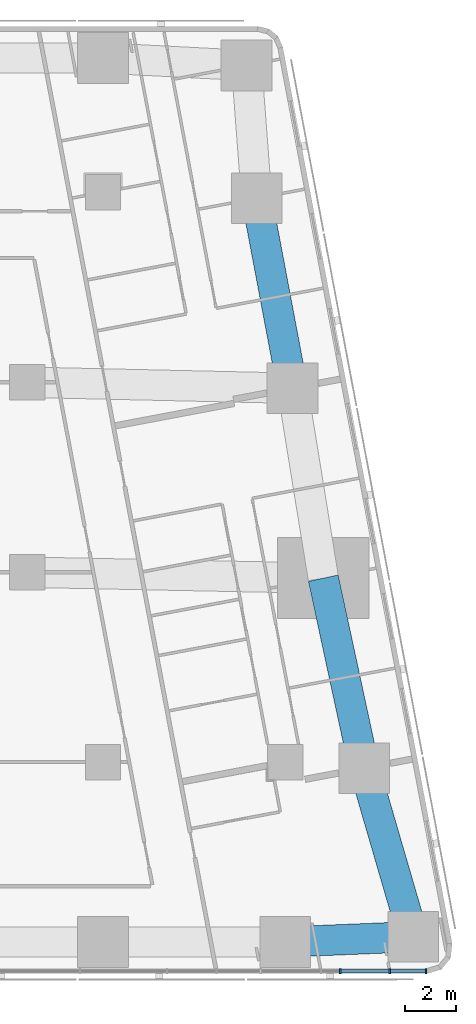
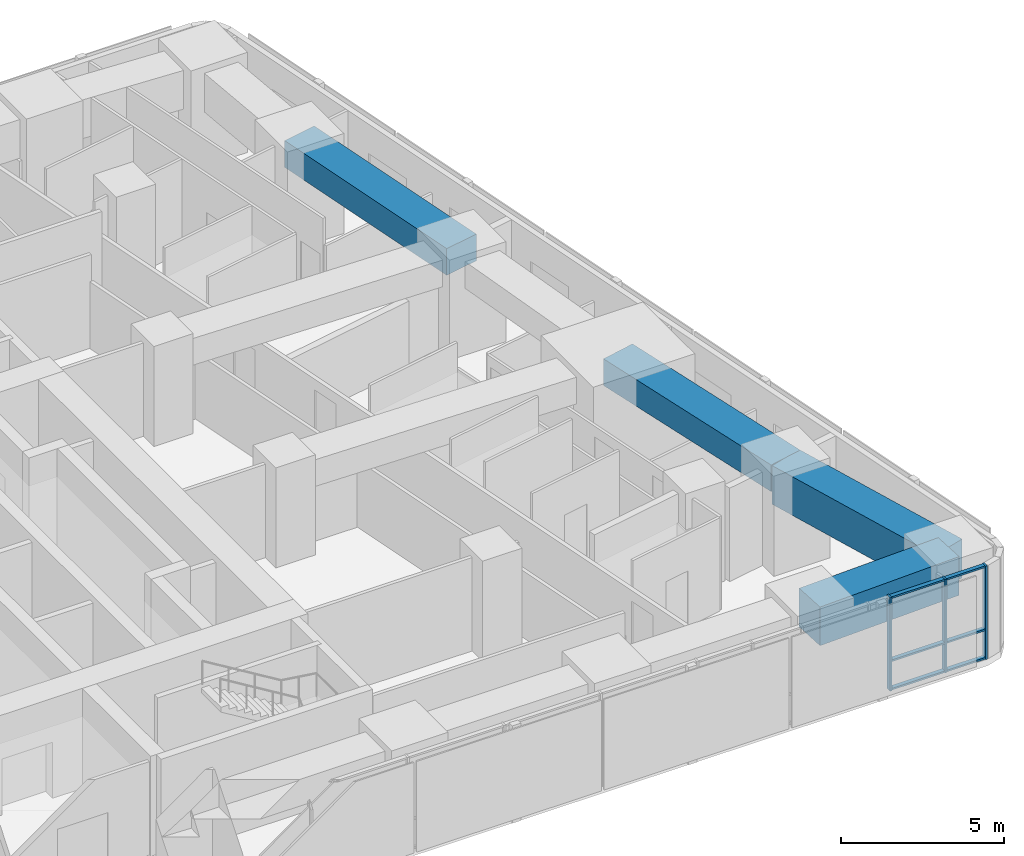
# One storey, part 3 of 11: 9 members, 4 beams, 1 element without a shape of its own.
"""IFC4 building model written with IfcOpenShell, lengths in metres."""

from ifc_helpers import new_model, si_unit, direction, frame, origin, origin_2d, place, context, subcontext, project, spatial, rectangle, extrude, material, material_profile, profile_set, type_object, element, aggregate, save


model = new_model("IFC4")

# Units and contexts
model_context = context("Model", 3, precision=1e-05, world=origin(), true_north=direction((0.0, 1.0)))
body_context = subcontext(model_context, "Body", "Model", "MODEL_VIEW")
ifc_project = project(units=[si_unit("LENGTHUNIT", "METRE"), si_unit("AREAUNIT", "SQUARE_METRE"), si_unit("VOLUMEUNIT", "CUBIC_METRE"), si_unit("PLANEANGLEUNIT", "RADIAN"), si_unit("MASSUNIT", "GRAM", prefix="KILO")], contexts=[model_context])

# Site, building, storey
site_placement = place(None, origin())
site = spatial("IfcSite", under=ifc_project, at=site_placement, CompositionType="ELEMENT")
building_placement = place(site_placement, origin())
building = spatial("IfcBuilding", under=site, at=building_placement, Name="Sheger Commons Tower", CompositionType="ELEMENT")
storey_placement = place(building_placement, frame((0.0, 0.0, 277.85009765625)))
storey = spatial("IfcBuildingStorey", under=building, at=storey_placement, Name="L71", CompositionType="ELEMENT", Elevation=277.85009765625)

# Curtain wall, members
ifc_material_1 = material(Name="Black aluminium curtain wall, dark tinted glazing", Category="aluminium")
curtain_wall_type = type_object("IfcCurtainWallType", Name="CURTAIN WALL CW5 SOUTH GALLERY", PredefinedType="USERDEFINED", material=ifc_material_1)
curtain_wall_placement = place(storey_placement, origin())
curtain_wall = element("IfcCurtainWall", 1, at=curtain_wall_placement, inside=storey, type_object=curtain_wall_type, Name="Curtain Wall Cw5 South Gallery S1 L71", ObjectType="UNITISED CURTAIN WALL", PredefinedType="USERDEFINED")
ifc_material_2 = material(Name="Black anodised aluminium", Category="aluminium")
ifc_material_profile_1 = material_profile(ifc_material_2, rectangle(XDim=0.199951171875, YDim=0.06494140625, at=origin_2d()), Name="AL 65x200")
ifc_profile_set_1 = profile_set([ifc_material_profile_1], Name="Black anodised aluminium")
member_type_1 = type_object("IfcMemberType", Name="MULLION AL 65x200", PredefinedType="MULLION", material=ifc_profile_set_1)
member_1_placement = place(storey_placement, frame((45.364990234375, 6.75, 0.0), z_axis=(0.0, 0.0, 1.0), x_axis=(0.0, 1.0, 0.0)))
member_1 = element("IfcMember", 2, at=member_1_placement, type_object=member_type_1, Name="CW5 mullion 12", PredefinedType="MULLION", context=body_context, shape_type="SweptSolid", body=[
    extrude(rectangle(XDim=0.199951171875, YDim=0.06494140625, at=origin_2d()), origin(), (0.0, 0.0, 1.0), 3.5),
])
member_2_placement = place(storey_placement, frame((47.319091796875, 6.75, 0.0), z_axis=(0.0, 0.0, 1.0), x_axis=(0.0, 1.0, 0.0)))
member_2 = element("IfcMember", 3, at=member_2_placement, type_object=member_type_1, Name="CW5 mullion 13", PredefinedType="MULLION", context=body_context, shape_type="SweptSolid", body=[
    extrude(rectangle(XDim=0.199951171875, YDim=0.06494140625, at=origin_2d()), origin(), (0.0, 0.0, 1.0), 3.5),
])
member_3_placement = place(storey_placement, frame((48.75439453125, 6.75, 0.0), z_axis=(0.0, 0.0, 1.0), x_axis=(0.0, 1.0, 0.0)))
member_3 = element("IfcMember", 4, at=member_3_placement, type_object=member_type_1, Name="CW5 mullion 14", PredefinedType="MULLION", context=body_context, shape_type="SweptSolid", body=[
    extrude(rectangle(XDim=0.199951171875, YDim=0.06494140625, at=origin_2d()), origin(), (0.0, 0.0, 1.0), 3.5),
])

# Beams
ifc_material_3 = material(Name="Concrete C50/60", Category="concrete")
ifc_material_profile_2 = material_profile(ifc_material_3, rectangle(XDim=1.199951171875, YDim=1.0, at=origin_2d()), Name="RC 1200x1000")
ifc_profile_set_2 = profile_set([ifc_material_profile_2], Name="Concrete C50/60")
beam_type_1 = type_object("IfcBeamType", Name="SPANDREL RC 1200x1000", PredefinedType="SPANDREL", material=ifc_profile_set_2)
beam_1_placement = place(storey_placement, frame((46.31396484375, 14.762939453125, 3.0), z_axis=(-0.210750229323, 0.977539943348, 0.0), x_axis=(-0.977539943348, -0.210750229323, 0.0)))
element("IfcBeam", 5, at=beam_1_placement, inside=storey, type_object=beam_type_1, Name="Beam E/C-E/D under L72", PredefinedType="SPANDREL", context=body_context, shape_type="SweptSolid", body=[
    extrude(rectangle(XDim=1.199951171875, YDim=1.0, at=origin_2d()), origin(), (0.0, 0.0, 1.0), 7.67236328125),
])
beam_2_placement = place(storey_placement, frame((43.47998046875, 29.762939453125, 3.0), z_axis=(-0.18552441405, 0.982639655108, 0.0), x_axis=(-0.982639655108, -0.18552441405, 0.0)))
element("IfcBeam", 6, at=beam_2_placement, inside=storey, type_object=beam_type_1, Name="Beam E/E-E/F under L72", PredefinedType="SPANDREL", context=body_context, shape_type="SweptSolid", body=[
    extrude(rectangle(XDim=1.199951171875, YDim=1.0, at=origin_2d()), origin(), (0.0, 0.0, 1.0), 7.632568359375),
])
ifc_material_4 = material(Name="Concrete C50/60", Category="concrete")
ifc_material_profile_3 = material_profile(ifc_material_4, rectangle(XDim=1.199951171875, YDim=1.449951171875, at=origin_2d()), Name="RC 1200x1450")
ifc_profile_set_3 = profile_set([ifc_material_profile_3], Name="Concrete C50/60")
beam_type_2 = type_object("IfcBeamType", Name="SPANDREL RC 1200x1450", PredefinedType="SPANDREL", material=ifc_profile_set_3)
beam_3_placement = place(storey_placement, frame((43.199951171875, 7.89990234375, 2.77490234375), z_axis=(0.999161374218, 0.040945674641, 0.0), x_axis=(-0.040945674641, 0.999161374218, 0.0)))
element("IfcBeam", 7, at=beam_3_placement, inside=storey, type_object=beam_type_2, Name="Beam 7/B-E/B under L72", PredefinedType="SPANDREL", context=body_context, shape_type="SweptSolid", body=[
    extrude(rectangle(XDim=1.199951171875, YDim=1.449951171875, at=origin_2d()), origin(), (0.0, 0.0, 1.0), 5.05615234375),
])
beam_4_placement = place(storey_placement, frame((48.251953125, 8.10693359375, 2.77490234375), z_axis=(-0.279555048455, 0.960129665662, 0.0), x_axis=(-0.960129665662, -0.279555048455, 0.0)))
element("IfcBeam", 8, at=beam_4_placement, inside=storey, type_object=beam_type_2, Name="Beam E/B-E/C under L72", PredefinedType="SPANDREL", context=body_context, shape_type="SweptSolid", body=[
    extrude(rectangle(XDim=1.199951171875, YDim=1.449951171875, at=origin_2d()), origin(), (0.0, 0.0, 1.0), 6.932373046875),
])

# Member
ifc_material_5 = material(Name="Black anodised aluminium", Category="aluminium")
ifc_material_profile_4 = material_profile(ifc_material_5, rectangle(XDim=0.14990234375, YDim=0.06494140625, at=origin_2d()), Name="AL 65x150")
ifc_profile_set_4 = profile_set([ifc_material_profile_4], Name="Black anodised aluminium")
member_type_2 = type_object("IfcMemberType", Name="TRANSOM AL 65x150", PredefinedType="USERDEFINED", material=ifc_profile_set_4)
member_4_placement = place(storey_placement, frame((45.3974609375, 6.75, 0.032470703125), z_axis=(1.0, 0.0, 0.0), x_axis=(0.0, 1.0, 0.0)))
member_4 = element("IfcMember", 9, at=member_4_placement, type_object=member_type_2, Name="CW5 transom 12.1", ObjectType="TRANSOM", PredefinedType="USERDEFINED", context=body_context, shape_type="SweptSolid", body=[
    extrude(rectangle(XDim=0.14990234375, YDim=0.06494140625, at=origin_2d()), origin(), (0.0, 0.0, 1.0), 1.88916015625),
])

member_5_placement = place(storey_placement, frame((45.3974609375, 6.75, 1.099853515625), z_axis=(1.0, 0.0, 0.0), x_axis=(0.0, 1.0, 0.0)))
member_5 = element("IfcMember", 10, at=member_5_placement, type_object=member_type_2, Name="CW5 transom 12.2", ObjectType="TRANSOM", PredefinedType="USERDEFINED", context=body_context, shape_type="SweptSolid", body=[
    extrude(rectangle(XDim=0.14990234375, YDim=0.06494140625, at=origin_2d()), origin(), (0.0, 0.0, 1.0), 1.88916015625),
])

member_6_placement = place(storey_placement, frame((45.3974609375, 6.75, 3.46728515625), z_axis=(1.0, 0.0, 0.0), x_axis=(0.0, 1.0, 0.0)))
member_6 = element("IfcMember", 11, at=member_6_placement, type_object=member_type_2, Name="CW5 transom 12.3", ObjectType="TRANSOM", PredefinedType="USERDEFINED", context=body_context, shape_type="SweptSolid", body=[
    extrude(rectangle(XDim=0.14990234375, YDim=0.06494140625, at=origin_2d()), origin(), (0.0, 0.0, 1.0), 1.88916015625),
])

member_7_placement = place(storey_placement, frame((47.3515625, 6.75, 0.032470703125), z_axis=(1.0, 0.0, 0.0), x_axis=(0.0, 1.0, 0.0)))
member_7 = element("IfcMember", 12, at=member_7_placement, type_object=member_type_2, Name="CW5 transom 13.1", ObjectType="TRANSOM", PredefinedType="USERDEFINED", context=body_context, shape_type="SweptSolid", body=[
    extrude(rectangle(XDim=0.14990234375, YDim=0.06494140625, at=origin_2d()), origin(), (0.0, 0.0, 1.0), 1.370361328125),
])

member_8_placement = place(storey_placement, frame((47.3515625, 6.75, 1.099853515625), z_axis=(1.0, 0.0, 0.0), x_axis=(0.0, 1.0, 0.0)))
member_8 = element("IfcMember", 13, at=member_8_placement, type_object=member_type_2, Name="CW5 transom 13.2", ObjectType="TRANSOM", PredefinedType="USERDEFINED", context=body_context, shape_type="SweptSolid", body=[
    extrude(rectangle(XDim=0.14990234375, YDim=0.06494140625, at=origin_2d()), origin(), (0.0, 0.0, 1.0), 1.370361328125),
])

member_9_placement = place(storey_placement, frame((47.3515625, 6.75, 3.46728515625), z_axis=(1.0, 0.0, 0.0), x_axis=(0.0, 1.0, 0.0)))
member_9 = element("IfcMember", 14, at=member_9_placement, type_object=member_type_2, Name="CW5 transom 13.3", ObjectType="TRANSOM", PredefinedType="USERDEFINED", context=body_context, shape_type="SweptSolid", body=[
    extrude(rectangle(XDim=0.14990234375, YDim=0.06494140625, at=origin_2d()), origin(), (0.0, 0.0, 1.0), 1.370361328125),
])

aggregate(curtain_wall, [member_1, member_2, member_3, member_4, member_5, member_6, member_7, member_8, member_9])

save(model, "model.ifc")
